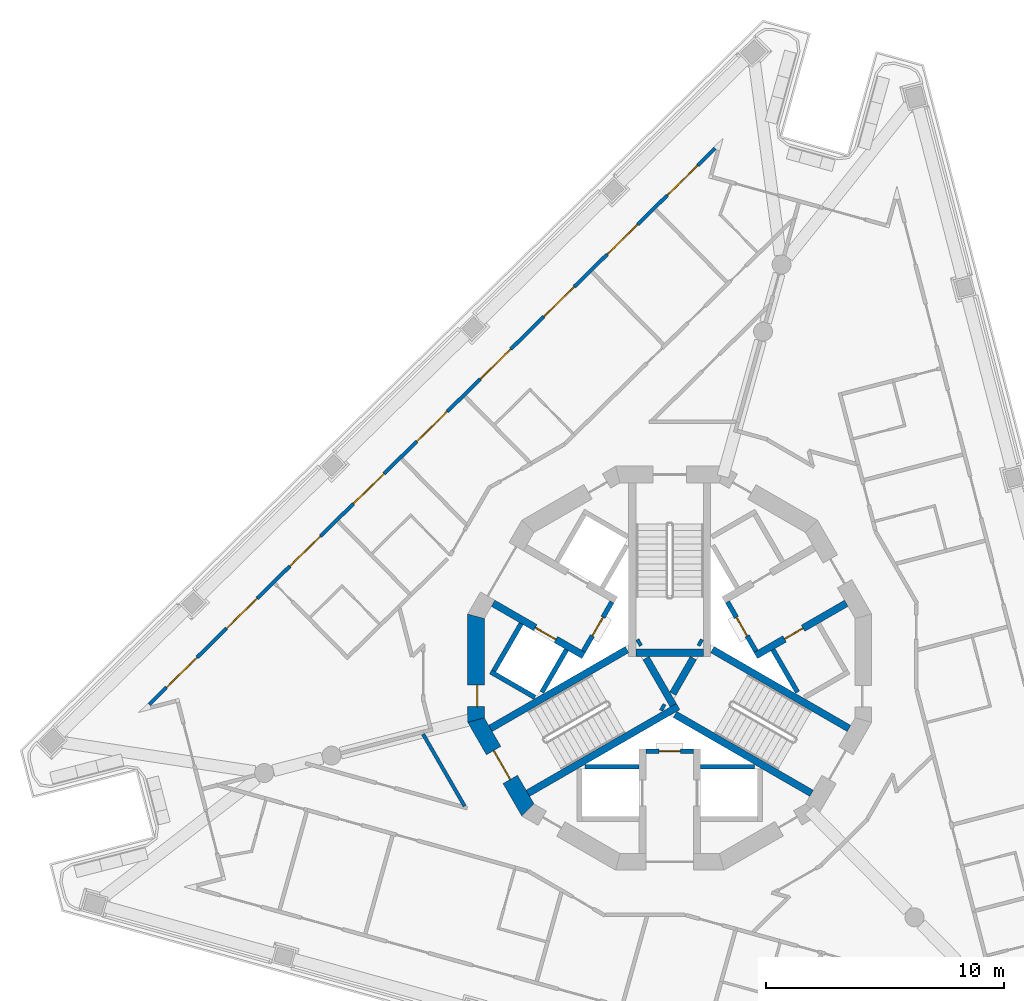
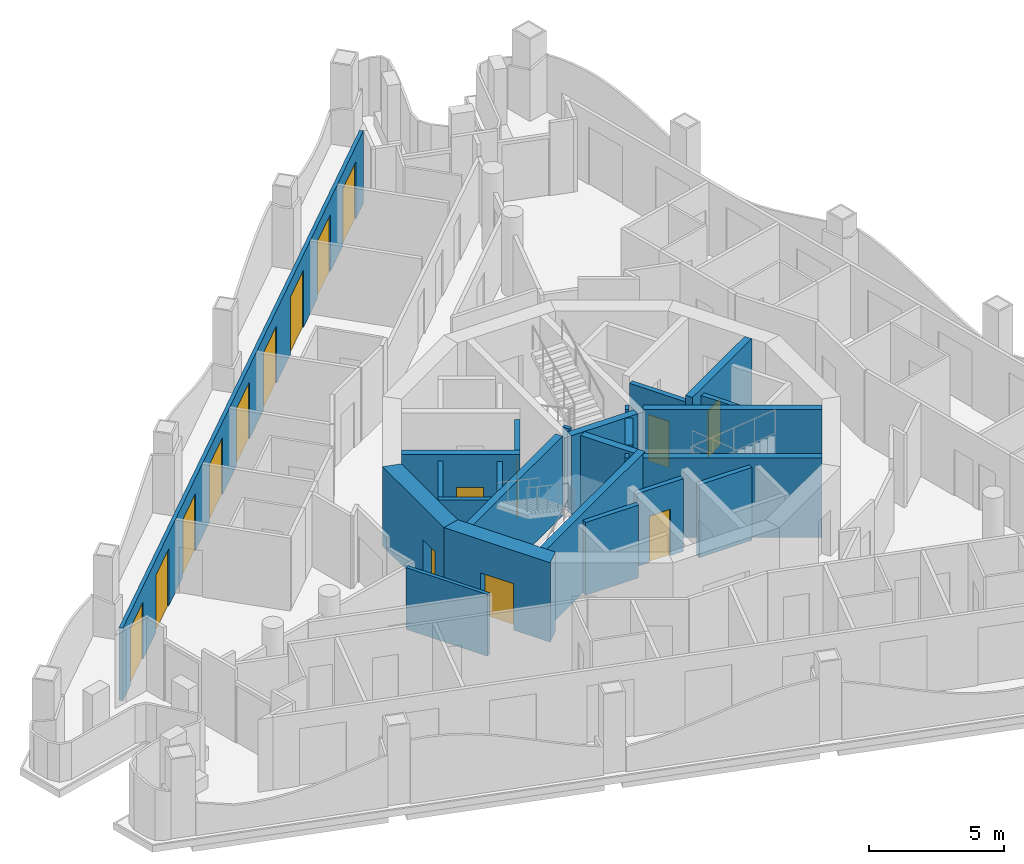
# One storey, part 4 of 14: 25 walls, 16 doors, 16 openings.
"""IFC4 building model written with IfcOpenShell, lengths in metres."""

import ifcopenshell
import ifcopenshell.guid

model = None  # the IFC model being written
_history = None  # IfcOwnerHistory: only IFC2X3 demands one
_inside = {}  # id of a spatial element -> (the spatial element, [elements in it])
_under = {}  # id of a project, library or spatial element -> (it, [spatial elements below it])
_declared = {}  # id of a project -> (the project, [libraries it declares])
_typed = {}  # id of a type object -> (the type object, [elements of that type])
_made_of = {}  # id of a material, layer set ... -> (it, [elements and type objects made of it])


def new_model(schema):
    """Start an empty IFC model of exactly this schema.

    Asked for "IFC4X3", IfcOpenShell would pick the latest addendum, in which some entities
    have other attributes; the version numbers below select the first issue.
    IFC2X3 requires an IfcOwnerHistory on every rooted entity: one is made here for all.
    """
    global model, _history
    if schema == "IFC4X3":
        model = ifcopenshell.file(schema_version=(4, 3, 0, 0))
    else:
        model = ifcopenshell.file(schema=schema)
    _inside.clear()
    _under.clear()
    _declared.clear()
    _typed.clear()
    _made_of.clear()
    _history = None
    if model.schema == "IFC2X3":
        org = make("IfcOrganization", Name="unknown")
        user = make(
            "IfcPersonAndOrganization",
            ThePerson=make("IfcPerson", FamilyName="unknown"),
            TheOrganization=org,
        )
        app = make(
            "IfcApplication",
            ApplicationDeveloper=org,
            Version="unknown",
            ApplicationFullName="unknown",
            ApplicationIdentifier="unknown",
        )
        _history = make(
            "IfcOwnerHistory",
            OwningUser=user,
            OwningApplication=app,
            ChangeAction="ADDED",
            CreationDate=0,
        )
    return model


def make(cls, **values):
    """One entity of the class cls with the attributes given. An attribute that is None is left unset."""
    return model.create_entity(
        cls, **{name: value for name, value in values.items() if value is not None}
    )


def rooted(cls, **values):
    """An entity with a GlobalId (a new one), such as an element, a storey or a relation."""
    return make(cls, GlobalId=ifcopenshell.guid.new(), OwnerHistory=_history, **values)


def si_unit(unit_type, name, prefix=None):
    """IfcSIUnit, for example si_unit("LENGTHUNIT", "METRE", prefix="MILLI")."""
    return make("IfcSIUnit", UnitType=unit_type, Prefix=prefix, Name=name)


def assignment(units):
    """IfcUnitAssignment: the units of a project."""
    return None if units is None else make("IfcUnitAssignment", Units=units)


def point(xyz):
    """IfcCartesianPoint."""
    return None if xyz is None else make("IfcCartesianPoint", Coordinates=xyz)


def direction(xyz):
    """IfcDirection."""
    return None if xyz is None else make("IfcDirection", DirectionRatios=xyz)


def frame(location, z_axis=None, x_axis=None):
    """IfcAxis2Placement3D, a coordinate frame: its origin and axes. An axis left out is left unset."""
    return make(
        "IfcAxis2Placement3D",
        Location=point(location),
        Axis=direction(z_axis),
        RefDirection=direction(x_axis),
    )


def frame_2d(location, x_axis=None):
    """IfcAxis2Placement2D, a coordinate frame in the plane: its origin and x axis."""
    return make(
        "IfcAxis2Placement2D", Location=point(location), RefDirection=direction(x_axis)
    )


def origin():
    """The frame at (0, 0, 0) with its axes left unset."""
    return frame((0.0, 0.0, 0.0))


def place(relative_to, where):
    """IfcLocalPlacement: puts the frame where relative to a parent placement (None: the world)."""
    return make(
        "IfcLocalPlacement", PlacementRelTo=relative_to, RelativePlacement=where
    )


def context(
    kind, dimensions, precision=None, world=None, true_north=None, identifier=None
):
    """IfcGeometricRepresentationContext, for example the 3D "Model" context."""
    return make(
        "IfcGeometricRepresentationContext",
        ContextIdentifier=identifier,
        ContextType=kind,
        CoordinateSpaceDimension=dimensions,
        Precision=precision,
        WorldCoordinateSystem=world,
        TrueNorth=true_north,
    )


def subcontext(parent, identifier, kind, view, scale=None):
    """IfcGeometricRepresentationSubContext, for example "Body" below "Model"."""
    return make(
        "IfcGeometricRepresentationSubContext",
        ContextIdentifier=identifier,
        ContextType=kind,
        ParentContext=parent,
        TargetScale=scale,
        TargetView=view,
    )


def project(units=None, contexts=None):
    """IfcProject with its units and contexts."""
    return rooted(
        "IfcProject",
        Name="project",
        RepresentationContexts=contexts,
        UnitsInContext=assignment(units),
    )


def spatial(cls, under=None, at=None, **own):
    """A site, building, storey or space (cls), placed at a placement, below another one or the project."""
    s = rooted(cls, ObjectPlacement=at, **own)
    if under is not None:
        _under.setdefault(under.id(), (under, []))[1].append(s)
    return s


def polyline(points):
    """IfcPolyline through the points."""
    return make("IfcPolyline", Points=[point(p) for p in points])


def profile(cls, at=None, kind="AREA", **sizes):
    """A parametric profile (cls). Its sizes go by their IFC names, for example OverallWidth=200.0."""
    return make(cls, ProfileType=kind, Position=at, **sizes)


def rectangle(**sizes):
    """IfcRectangleProfileDef."""
    return profile("IfcRectangleProfileDef", **sizes)


def outline(outer, holes=None, kind="AREA"):
    """IfcArbitraryClosedProfileDef: a profile drawn as a closed curve; with holes, ...WithVoids."""
    if holes is None:
        return make("IfcArbitraryClosedProfileDef", ProfileType=kind, OuterCurve=outer)
    return make(
        "IfcArbitraryProfileDefWithVoids",
        ProfileType=kind,
        OuterCurve=outer,
        InnerCurves=holes,
    )


def extrude(swept, where, along, depth):
    """IfcExtrudedAreaSolid: the profile swept, set in the frame where, extruded along a direction by depth."""
    return make(
        "IfcExtrudedAreaSolid",
        SweptArea=swept,
        Position=where,
        ExtrudedDirection=direction(along),
        Depth=depth,
    )


def shape(context_of_items, identifier, shape_type, items):
    """IfcShapeRepresentation: the items that make up one representation, for example the "Body"."""
    return make(
        "IfcShapeRepresentation",
        ContextOfItems=context_of_items,
        RepresentationIdentifier=identifier,
        RepresentationType=shape_type,
        Items=items,
    )


def material(Name=None, Category=None):
    """IfcMaterial."""
    return make("IfcMaterial", Name=Name, Category=Category)


def layer(
    of_material, thickness, ventilated=None, Name=None, Category=None, Priority=None
):
    """IfcMaterialLayer: one layer of a wall or slab, of a material (None: an air gap)."""
    return make(
        "IfcMaterialLayer",
        Material=of_material,
        LayerThickness=thickness,
        IsVentilated=ventilated,
        Name=Name,
        Category=Category,
        Priority=Priority,
    )


def layer_set(layers, Name=None):
    """IfcMaterialLayerSet."""
    return make("IfcMaterialLayerSet", MaterialLayers=layers, LayerSetName=Name)


def made_of(thing, what):
    """Note that an element or type object is made of a material, layer set ...; save() writes the relation."""
    if what is not None:
        _made_of.setdefault(what.id(), (what, []))[1].append(thing)
    return thing


def type_object(cls, material=None, **own):
    """A type object (cls), such as IfcWallType, which elements share."""
    return made_of(rooted(cls, **own), material)


def element(
    cls,
    number,
    at=None,
    inside=None,
    cuts=None,
    type_object=None,
    material=None,
    context=None,
    identifier="Body",
    shape_type=None,
    held_by="IfcProductDefinitionShape",
    body=None,
    shapes=None,
    **own,
):
    """One element of the class cls, such as IfcWall. Its Tag is "e" and its number.

    at: its placement. inside: the storey or other place that contains it. cuts: it is an
    opening in that element (IfcRelVoidsElement). A single representation is given by context,
    identifier, shape_type and body (its items); several are given by shapes. held_by: the class
    of the entity that holds the representations. save() writes the other relations.
    """
    e = rooted(cls, Tag="e%d" % number, ObjectPlacement=at, **own)
    if body is not None:
        shapes = [shape(context, identifier, shape_type, body)]
    if shapes is not None:
        e.Representation = make(held_by, Representations=shapes)
    if inside is not None:
        _inside.setdefault(inside.id(), (inside, []))[1].append(e)
    if cuts is not None:
        rooted(
            "IfcRelVoidsElement", RelatingBuildingElement=cuts, RelatedOpeningElement=e
        )
    if type_object is not None:
        _typed.setdefault(type_object.id(), (type_object, []))[1].append(e)
    return made_of(e, material)


def fill(opening, filler):
    """IfcRelFillsElement: the door or window that sits in an opening."""
    return rooted(
        "IfcRelFillsElement",
        RelatingOpeningElement=opening,
        RelatedBuildingElement=filler,
    )


def aggregate(whole, parts):
    """IfcRelAggregates: a whole, such as a stair, and the parts it consists of."""
    return rooted("IfcRelAggregates", RelatingObject=whole, RelatedObjects=parts)


def save(model, path):
    """Write the relations noted so far, then the file.

    IfcRelAggregates (storeys below a building ...), IfcRelContainedInSpatialStructure (elements
    in a storey), IfcRelDefinesByType, IfcRelAssociatesMaterial and IfcRelDeclares: one each for
    every whole, place, type object, material and project.
    """
    for whole, parts in _under.values():
        aggregate(whole, parts)
    for where, things in _inside.values():
        rooted(
            "IfcRelContainedInSpatialStructure",
            RelatedElements=things,
            RelatingStructure=where,
        )
    for kind, things in _typed.values():
        rooted("IfcRelDefinesByType", RelatedObjects=things, RelatingType=kind)
    for what, things in _made_of.values():
        rooted("IfcRelAssociatesMaterial", RelatedObjects=things, RelatingMaterial=what)
    for by, libraries in _declared.values():
        rooted("IfcRelDeclares", RelatingContext=by, RelatedDefinitions=libraries)
    model.write(path)


model = new_model("IFC4")

# Units and contexts
model_context = context("Model", 3, precision=1e-05, world=origin(), true_north=direction((0.0, 1.0)))
body_context = subcontext(model_context, "Body", "Model", "MODEL_VIEW")
ifc_project = project(units=[si_unit("LENGTHUNIT", "METRE"), si_unit("AREAUNIT", "SQUARE_METRE"), si_unit("VOLUMEUNIT", "CUBIC_METRE"), si_unit("PLANEANGLEUNIT", "RADIAN"), si_unit("MASSUNIT", "GRAM", prefix="KILO")], contexts=[model_context])

# Site, building, storey
site_placement = place(None, origin())
site = spatial("IfcSite", under=ifc_project, at=site_placement, CompositionType="ELEMENT")
building_placement = place(site_placement, origin())
building = spatial("IfcBuilding", under=site, at=building_placement, Name="Trine Commons Tower", CompositionType="ELEMENT")
storey_placement = place(building_placement, frame((0.0, 0.0, 245.699951171875)))
storey = spatial("IfcBuildingStorey", under=building, at=storey_placement, Name="L64", CompositionType="ELEMENT", Elevation=245.699951171875)

# Wall, openings, doors
ifc_material_1 = material(Name="Aluminium-framed insulated wall panel", Category="aluminium")
ifc_layer_1 = layer(ifc_material_1, 0.14990234375)
ifc_layer_set_1 = layer_set([ifc_layer_1], Name="Aluminium-framed insulated wall panel")
wall_type_1 = type_object("IfcWallType", Name="Glazed frame wall 150, EI 60", PredefinedType="SOLIDWALL", material=ifc_layer_set_1)
wall_1_placement = place(storey_placement, frame((57.98974609375, 60.867431640625, 0.0), z_axis=(0.0, 0.0, 1.0), x_axis=(0.713254682671, 0.700904956216, 0.0)))
wall_1 = element("IfcWall", 1, at=wall_1_placement, inside=storey, type_object=wall_type_1, Name="Glazed frame wall F1", PredefinedType="SOLIDWALL", context=body_context, shape_type="SweptSolid", body=[
    extrude(outline(polyline([(0.1494140625, 0.074951171875), (0.1494140625, -0.074951171875), (33.536865234375, -0.074951171875), (33.536865234375, 0.074951171875), (0.1494140625, 0.074951171875)])), origin(), (0.0, 0.0, 1.0), 3.300048828125),
])
opening_1_placement = place(wall_1_placement, frame((1.17138671875, 0.0, 0.0)))
opening_1 = element("IfcOpeningElement", 2, at=opening_1_placement, cuts=wall_1, Name="Opening BD-7F1-01", PredefinedType="OPENING", context=body_context, shape_type="SweptSolid", body=[
    extrude(rectangle(XDim=1.800048828125, YDim=2.60009765625, at=frame_2d((0.89990234375, 1.300048828125))), frame((0.0, 0.0849609375, 0.0), z_axis=(0.0, -1.0, 0.0), x_axis=(1.0, 0.0, 0.0)), (0.0, 0.0, 1.0), 0.169921875),
])
opening_2_placement = place(wall_1_placement, frame((4.71435546875, 0.0, 0.0)))
opening_2 = element("IfcOpeningElement", 3, at=opening_2_placement, cuts=wall_1, Name="Opening BD-7F1-02", PredefinedType="OPENING", context=body_context, shape_type="SweptSolid", body=[
    extrude(rectangle(XDim=1.800048828125, YDim=2.60009765625, at=frame_2d((0.89990234375, 1.300048828125))), frame((0.0, 0.0849609375, 0.0), z_axis=(0.0, -1.0, 0.0), x_axis=(1.0, 0.0, 0.0)), (0.0, 0.0, 1.0), 0.169921875),
])
opening_3_placement = place(wall_1_placement, frame((8.457275390625, 0.0, 0.0)))
opening_3 = element("IfcOpeningElement", 4, at=opening_3_placement, cuts=wall_1, Name="Opening BD-7F1-03", PredefinedType="OPENING", context=body_context, shape_type="SweptSolid", body=[
    extrude(rectangle(XDim=1.800048828125, YDim=2.60009765625, at=frame_2d((0.89990234375, 1.300048828125))), frame((0.0, 0.0849609375, 0.0), z_axis=(0.0, -1.0, 0.0), x_axis=(1.0, 0.0, 0.0)), (0.0, 0.0, 1.0), 0.169921875),
])
opening_4_placement = place(wall_1_placement, frame((12.2001953125, 0.0, 0.0)))
opening_4 = element("IfcOpeningElement", 5, at=opening_4_placement, cuts=wall_1, Name="Opening BD-7F1-04", PredefinedType="OPENING", context=body_context, shape_type="SweptSolid", body=[
    extrude(rectangle(XDim=1.800048828125, YDim=2.60009765625, at=frame_2d((0.89990234375, 1.300048828125))), frame((0.0, 0.0849609375, 0.0), z_axis=(0.0, -1.0, 0.0), x_axis=(1.0, 0.0, 0.0)), (0.0, 0.0, 1.0), 0.169921875),
])
opening_5_placement = place(wall_1_placement, frame((15.943115234375, 0.0, 0.0)))
opening_5 = element("IfcOpeningElement", 6, at=opening_5_placement, cuts=wall_1, Name="Opening BD-7F1-05", PredefinedType="OPENING", context=body_context, shape_type="SweptSolid", body=[
    extrude(rectangle(XDim=1.800048828125, YDim=2.60009765625, at=frame_2d((0.89990234375, 1.300048828125))), frame((0.0, 0.0849609375, 0.0), z_axis=(0.0, -1.0, 0.0), x_axis=(1.0, 0.0, 0.0)), (0.0, 0.0, 1.0), 0.169921875),
])
opening_6_placement = place(wall_1_placement, frame((19.68603515625, 0.0, 0.0)))
opening_6 = element("IfcOpeningElement", 7, at=opening_6_placement, cuts=wall_1, Name="Opening BD-7F1-06", PredefinedType="OPENING", context=body_context, shape_type="SweptSolid", body=[
    extrude(rectangle(XDim=1.800048828125, YDim=2.60009765625, at=frame_2d((0.89990234375, 1.300048828125))), frame((0.0, 0.0849609375, 0.0), z_axis=(0.0, -1.0, 0.0), x_axis=(1.0, 0.0, 0.0)), (0.0, 0.0, 1.0), 0.169921875),
])
opening_7_placement = place(wall_1_placement, frame((23.428955078125, 0.0, 0.0)))
opening_7 = element("IfcOpeningElement", 8, at=opening_7_placement, cuts=wall_1, Name="Opening BD-7F1-07", PredefinedType="OPENING", context=body_context, shape_type="SweptSolid", body=[
    extrude(rectangle(XDim=1.800048828125, YDim=2.60009765625, at=frame_2d((0.89990234375, 1.300048828125))), frame((0.0, 0.0849609375, 0.0), z_axis=(0.0, -1.0, 0.0), x_axis=(1.0, 0.0, 0.0)), (0.0, 0.0, 1.0), 0.169921875),
])
opening_8_placement = place(wall_1_placement, frame((27.171875, 0.0, 0.0)))
opening_8 = element("IfcOpeningElement", 9, at=opening_8_placement, cuts=wall_1, Name="Opening BD-7F1-08", PredefinedType="OPENING", context=body_context, shape_type="SweptSolid", body=[
    extrude(rectangle(XDim=1.800048828125, YDim=2.60009765625, at=frame_2d((0.89990234375, 1.300048828125))), frame((0.0, 0.0849609375, 0.0), z_axis=(0.0, -1.0, 0.0), x_axis=(1.0, 0.0, 0.0)), (0.0, 0.0, 1.0), 0.169921875),
])
opening_9_placement = place(wall_1_placement, frame((30.714599609375, 0.0, 0.0)))
opening_9 = element("IfcOpeningElement", 10, at=opening_9_placement, cuts=wall_1, Name="Opening BD-7F1-09", PredefinedType="OPENING", context=body_context, shape_type="SweptSolid", body=[
    extrude(rectangle(XDim=1.800048828125, YDim=2.60009765625, at=frame_2d((0.89990234375, 1.300048828125))), frame((0.0, 0.0849609375, 0.0), z_axis=(0.0, -1.0, 0.0), x_axis=(1.0, 0.0, 0.0)), (0.0, 0.0, 1.0), 0.169921875),
])
ifc_material_2 = material(Name="Anodised aluminium frame with double glazing", Category="aluminium")
door_type_1 = type_object("IfcDoorType", Name="Sliding loggia door 1800x2600", OperationType="SLIDING_TO_LEFT", PredefinedType="DOOR", material=ifc_material_2)
door_1_placement = place(opening_1_placement, origin())
door_1 = element("IfcDoor", 11, at=door_1_placement, inside=storey, type_object=door_type_1, Name="Loggia door F1 1", OperationType="SLIDING_TO_LEFT", OverallHeight=2.60009765625, OverallWidth=1.800048828125, PredefinedType="DOOR", context=body_context, shape_type="SweptSolid", body=[
    extrude(rectangle(XDim=1.800048828125, YDim=2.60009765625, at=frame_2d((0.89990234375, 1.300048828125))), frame((0.0, 0.02490234375, 0.0), z_axis=(0.0, -1.0, 0.0), x_axis=(1.0, 0.0, 0.0)), (0.0, 0.0, 1.0), 0.050048828125),
])
fill(opening_1, door_1)
door_2_placement = place(opening_2_placement, origin())
door_2 = element("IfcDoor", 12, at=door_2_placement, inside=storey, type_object=door_type_1, Name="Loggia door F1 2", OperationType="SLIDING_TO_LEFT", OverallHeight=2.60009765625, OverallWidth=1.800048828125, PredefinedType="DOOR", context=body_context, shape_type="SweptSolid", body=[
    extrude(rectangle(XDim=1.800048828125, YDim=2.60009765625, at=frame_2d((0.89990234375, 1.300048828125))), frame((0.0, 0.02490234375, 0.0), z_axis=(0.0, -1.0, 0.0), x_axis=(1.0, 0.0, 0.0)), (0.0, 0.0, 1.0), 0.050048828125),
])
fill(opening_2, door_2)
door_3_placement = place(opening_3_placement, origin())
door_3 = element("IfcDoor", 13, at=door_3_placement, inside=storey, type_object=door_type_1, Name="Loggia door F1 3", OperationType="SLIDING_TO_LEFT", OverallHeight=2.60009765625, OverallWidth=1.800048828125, PredefinedType="DOOR", context=body_context, shape_type="SweptSolid", body=[
    extrude(rectangle(XDim=1.800048828125, YDim=2.60009765625, at=frame_2d((0.89990234375, 1.300048828125))), frame((0.0, 0.02490234375, 0.0), z_axis=(0.0, -1.0, 0.0), x_axis=(1.0, 0.0, 0.0)), (0.0, 0.0, 1.0), 0.050048828125),
])
fill(opening_3, door_3)
door_4_placement = place(opening_4_placement, origin())
door_4 = element("IfcDoor", 14, at=door_4_placement, inside=storey, type_object=door_type_1, Name="Loggia door F1 4", OperationType="SLIDING_TO_LEFT", OverallHeight=2.60009765625, OverallWidth=1.800048828125, PredefinedType="DOOR", context=body_context, shape_type="SweptSolid", body=[
    extrude(rectangle(XDim=1.800048828125, YDim=2.60009765625, at=frame_2d((0.89990234375, 1.300048828125))), frame((0.0, 0.02490234375, 0.0), z_axis=(0.0, -1.0, 0.0), x_axis=(1.0, 0.0, 0.0)), (0.0, 0.0, 1.0), 0.050048828125),
])
fill(opening_4, door_4)
door_5_placement = place(opening_5_placement, origin())
door_5 = element("IfcDoor", 15, at=door_5_placement, inside=storey, type_object=door_type_1, Name="Loggia door F1 5", OperationType="SLIDING_TO_LEFT", OverallHeight=2.60009765625, OverallWidth=1.800048828125, PredefinedType="DOOR", context=body_context, shape_type="SweptSolid", body=[
    extrude(rectangle(XDim=1.800048828125, YDim=2.60009765625, at=frame_2d((0.89990234375, 1.300048828125))), frame((0.0, 0.02490234375, 0.0), z_axis=(0.0, -1.0, 0.0), x_axis=(1.0, 0.0, 0.0)), (0.0, 0.0, 1.0), 0.050048828125),
])
fill(opening_5, door_5)
door_6_placement = place(opening_6_placement, origin())
door_6 = element("IfcDoor", 16, at=door_6_placement, inside=storey, type_object=door_type_1, Name="Loggia door F1 6", OperationType="SLIDING_TO_LEFT", OverallHeight=2.60009765625, OverallWidth=1.800048828125, PredefinedType="DOOR", context=body_context, shape_type="SweptSolid", body=[
    extrude(rectangle(XDim=1.800048828125, YDim=2.60009765625, at=frame_2d((0.89990234375, 1.300048828125))), frame((0.0, 0.02490234375, 0.0), z_axis=(0.0, -1.0, 0.0), x_axis=(1.0, 0.0, 0.0)), (0.0, 0.0, 1.0), 0.050048828125),
])
fill(opening_6, door_6)
door_7_placement = place(opening_7_placement, origin())
door_7 = element("IfcDoor", 17, at=door_7_placement, inside=storey, type_object=door_type_1, Name="Loggia door F1 7", OperationType="SLIDING_TO_LEFT", OverallHeight=2.60009765625, OverallWidth=1.800048828125, PredefinedType="DOOR", context=body_context, shape_type="SweptSolid", body=[
    extrude(rectangle(XDim=1.800048828125, YDim=2.60009765625, at=frame_2d((0.89990234375, 1.300048828125))), frame((0.0, 0.02490234375, 0.0), z_axis=(0.0, -1.0, 0.0), x_axis=(1.0, 0.0, 0.0)), (0.0, 0.0, 1.0), 0.050048828125),
])
fill(opening_7, door_7)
door_8_placement = place(opening_8_placement, origin())
door_8 = element("IfcDoor", 18, at=door_8_placement, inside=storey, type_object=door_type_1, Name="Loggia door F1 8", OperationType="SLIDING_TO_LEFT", OverallHeight=2.60009765625, OverallWidth=1.800048828125, PredefinedType="DOOR", context=body_context, shape_type="SweptSolid", body=[
    extrude(rectangle(XDim=1.800048828125, YDim=2.60009765625, at=frame_2d((0.89990234375, 1.300048828125))), frame((0.0, 0.02490234375, 0.0), z_axis=(0.0, -1.0, 0.0), x_axis=(1.0, 0.0, 0.0)), (0.0, 0.0, 1.0), 0.050048828125),
])
fill(opening_8, door_8)
door_9_placement = place(opening_9_placement, origin())
door_9 = element("IfcDoor", 19, at=door_9_placement, inside=storey, type_object=door_type_1, Name="Loggia door F1 9", OperationType="SLIDING_TO_LEFT", OverallHeight=2.60009765625, OverallWidth=1.800048828125, PredefinedType="DOOR", context=body_context, shape_type="SweptSolid", body=[
    extrude(rectangle(XDim=1.800048828125, YDim=2.60009765625, at=frame_2d((0.89990234375, 1.300048828125))), frame((0.0, 0.02490234375, 0.0), z_axis=(0.0, -1.0, 0.0), x_axis=(1.0, 0.0, 0.0)), (0.0, 0.0, 1.0), 0.050048828125),
])
fill(opening_9, door_9)

# Wall, opening, door
ifc_material_3 = material(Name="Fire-rated gypsum shaft wall system")
ifc_layer_2 = layer(ifc_material_3, 0.199951171875)
ifc_layer_set_2 = layer_set([ifc_layer_2], Name="Fire-rated gypsum shaft wall system")
wall_type_2 = type_object("IfcWallType", Name="Lobby end wall 200 mm, EI 120", PredefinedType="PARTITIONING", material=ifc_layer_set_2)
wall_2_placement = place(storey_placement, frame((77.569091796875, 65.2890625, 0.0), z_axis=(0.0, 0.0, 1.0), x_axis=(-0.50012165622, -0.865955154139, 0.0)))
wall_2 = element("IfcWall", 20, at=wall_2_placement, inside=storey, type_object=wall_type_2, Name="Lobby end wall L64", PredefinedType="PARTITIONING", context=body_context, shape_type="SweptSolid", body=[
    extrude(rectangle(XDim=2.39990234375, YDim=0.199951171875, at=frame_2d((1.199951171875, 0.0))), origin(), (0.0, 0.0, 1.0), 3.300048828125),
])
opening_10_placement = place(wall_2_placement, frame((0.749755859375, 0.0, 0.0)))
opening_10 = element("IfcOpeningElement", 21, at=opening_10_placement, cuts=wall_2, Name="Opening K16.07", PredefinedType="OPENING", context=body_context, shape_type="SweptSolid", body=[
    extrude(rectangle(XDim=0.89990234375, YDim=2.10009765625, at=frame_2d((0.449951171875, 1.050048828125))), frame((0.0, 0.10986328125, 0.0), z_axis=(0.0, -1.0, 0.0), x_axis=(1.0, 0.0, 0.0)), (0.0, 0.0, 1.0), 0.219970703125),
])
ifc_material_4 = material(Name="Steel door leaf, fire-rated", Category="steel")
door_type_2 = type_object("IfcDoorType", Name="Riser access door, single leaf 900 x 2100, FD60", OperationType="SINGLE_SWING_LEFT", PredefinedType="DOOR", material=ifc_material_4)
door_10_placement = place(opening_10_placement, frame((0.89990234375, 0.0, 0.0), z_axis=(0.0, 0.0, 1.0), x_axis=(-1.0, 0.0, 0.0)))
door_10 = element("IfcDoor", 22, at=door_10_placement, inside=storey, type_object=door_type_2, Name="Riser door, Mechanical riser L64", OperationType="SINGLE_SWING_RIGHT", OverallHeight=2.10009765625, OverallWidth=0.89990234375, PredefinedType="DOOR", context=body_context, shape_type="SweptSolid", body=[
    extrude(rectangle(XDim=0.89990234375, YDim=2.10009765625, at=frame_2d((0.449951171875, 1.050048828125))), frame((0.0, 0.02490234375, 0.0), z_axis=(0.0, -1.0, 0.0), x_axis=(1.0, 0.0, 0.0)), (0.0, 0.0, 1.0), 0.050048828125),
])
fill(opening_10, door_10)

wall_3_placement = place(storey_placement, frame((79.0, 59.0, 0.0), z_axis=(0.0, 0.0, 1.0), x_axis=(1.0, 0.0, 0.0)))
wall_3 = element("IfcWall", 23, at=wall_3_placement, inside=storey, type_object=wall_type_2, Name="Lobby end wall L64", PredefinedType="PARTITIONING", context=body_context, shape_type="SweptSolid", body=[
    extrude(rectangle(XDim=2.0, YDim=0.199951171875, at=frame_2d((1.0, 0.0))), origin(), (0.0, 0.0, 1.0), 3.300048828125),
])
opening_11_placement = place(wall_3_placement, frame((0.550048828125, 0.0, 0.0)))
opening_11 = element("IfcOpeningElement", 24, at=opening_11_placement, cuts=wall_3, Name="Opening K16.09", PredefinedType="OPENING", context=body_context, shape_type="SweptSolid", body=[
    extrude(rectangle(XDim=0.89990234375, YDim=2.10009765625, at=frame_2d((0.449951171875, 1.050048828125))), frame((0.0, 0.10986328125, 0.0), z_axis=(0.0, -1.0, 0.0), x_axis=(1.0, 0.0, 0.0)), (0.0, 0.0, 1.0), 0.219970703125),
])
door_11_placement = place(opening_11_placement, frame((0.89990234375, 0.0, 0.0), z_axis=(0.0, 0.0, 1.0), x_axis=(-1.0, 0.0, 0.0)))
door_11 = element("IfcDoor", 25, at=door_11_placement, inside=storey, type_object=door_type_2, Name="Riser door, Communications riser L64", OperationType="SINGLE_SWING_RIGHT", OverallHeight=2.10009765625, OverallWidth=0.89990234375, PredefinedType="DOOR", context=body_context, shape_type="SweptSolid", body=[
    extrude(rectangle(XDim=0.89990234375, YDim=2.10009765625, at=frame_2d((0.449951171875, 1.050048828125))), frame((0.0, 0.02490234375, 0.0), z_axis=(0.0, -1.0, 0.0), x_axis=(1.0, 0.0, 0.0)), (0.0, 0.0, 1.0), 0.050048828125),
])
fill(opening_11, door_11)

wall_4_placement = place(storey_placement, frame((83.631103515625, 63.2109375, 0.0), z_axis=(0.0, 0.0, 1.0), x_axis=(-0.50012165622, 0.865955154139, 0.0)))
wall_4 = element("IfcWall", 26, at=wall_4_placement, inside=storey, type_object=wall_type_2, Name="Lobby end wall L64", PredefinedType="PARTITIONING", context=body_context, shape_type="SweptSolid", body=[
    extrude(rectangle(XDim=2.39990234375, YDim=0.199951171875, at=frame_2d((1.199951171875, 0.0))), origin(), (0.0, 0.0, 1.0), 3.300048828125),
])
opening_12_placement = place(wall_4_placement, frame((0.749755859375, 0.0, 0.0)))
opening_12 = element("IfcOpeningElement", 27, at=opening_12_placement, cuts=wall_4, Name="Opening K16.05", PredefinedType="OPENING", context=body_context, shape_type="SweptSolid", body=[
    extrude(rectangle(XDim=0.89990234375, YDim=2.10009765625, at=frame_2d((0.449951171875, 1.050048828125))), frame((0.0, 0.10986328125, 0.0), z_axis=(0.0, -1.0, 0.0), x_axis=(1.0, 0.0, 0.0)), (0.0, 0.0, 1.0), 0.219970703125),
])
door_12_placement = place(opening_12_placement, frame((0.89990234375, 0.0, 0.0), z_axis=(0.0, 0.0, 1.0), x_axis=(-1.0, 0.0, 0.0)))
door_12 = element("IfcDoor", 28, at=door_12_placement, inside=storey, type_object=door_type_2, Name="Riser door, Electrical riser L64", OperationType="SINGLE_SWING_LEFT", OverallHeight=2.10009765625, OverallWidth=0.89990234375, PredefinedType="DOOR", context=body_context, shape_type="SweptSolid", body=[
    extrude(rectangle(XDim=0.89990234375, YDim=2.10009765625, at=frame_2d((0.449951171875, 1.050048828125))), frame((0.0, 0.02490234375, 0.0), z_axis=(0.0, -1.0, 0.0), x_axis=(1.0, 0.0, 0.0)), (0.0, 0.0, 1.0), 0.050048828125),
])
fill(opening_12, door_12)

ifc_material_5 = material(Name="Concrete C50/60", Category="concrete")
ifc_layer_3 = layer(ifc_material_5, 0.300048828125)
ifc_layer_set_3 = layer_set([ifc_layer_3], Name="Concrete C50/60")
wall_type_3 = type_object("IfcWallType", Name="RC shear wall 300 mm, C50/60", PredefinedType="SHEAR", material=ifc_layer_set_3)
wall_5_placement = place(storey_placement, frame((76.381103515625, 63.031005859375, 0.0), z_axis=(0.0, 0.0, 1.0), x_axis=(-0.866059941101, 0.499940174841, 0.0)))
wall_5 = element("IfcWall", 29, at=wall_5_placement, inside=storey, type_object=wall_type_3, Name="Core cross wall SWC-01 L64", PredefinedType="SHEAR", context=body_context, shape_type="SweptSolid", body=[
    extrude(rectangle(XDim=4.400390625, YDim=0.300048828125, at=frame_2d((2.2001953125, 0.0))), origin(), (0.0, 0.0, 1.0), 3.60009765625),
])
opening_13_placement = place(wall_5_placement, frame((1.350341796875, 0.0, 0.0)))
opening_13 = element("IfcOpeningElement", 30, at=opening_13_placement, cuts=wall_5, Name="Opening LD7", PredefinedType="OPENING", context=body_context, shape_type="SweptSolid", body=[
    extrude(rectangle(XDim=1.0, YDim=2.10009765625, at=frame_2d((0.5, 1.050048828125))), frame((0.0, 0.159912109375, 0.0), z_axis=(0.0, -1.0, 0.0), x_axis=(1.0, 0.0, 0.0)), (0.0, 0.0, 1.0), 0.320068359375),
])
ifc_material_6 = material(Name="Stainless steel sliding door leaves", Category="steel")
door_type_3 = type_object("IfcDoorType", Name="Lift landing door, centre-opening sliding 1000 x 2100, FD90", OperationType="DOUBLE_DOOR_SLIDING", PredefinedType="DOOR", material=ifc_material_6)
door_13_placement = place(opening_13_placement, origin())
door_13 = element("IfcDoor", 31, at=door_13_placement, inside=storey, type_object=door_type_3, Name="Lift landing door HR3 L64", OperationType="DOUBLE_DOOR_SLIDING", OverallHeight=2.10009765625, OverallWidth=1.0, PredefinedType="DOOR", context=body_context, shape_type="SweptSolid", body=[
    extrude(rectangle(XDim=1.0, YDim=2.10009765625, at=frame_2d((0.5, 1.050048828125))), frame((0.0, 0.02490234375, 0.0), z_axis=(0.0, -1.0, 0.0), x_axis=(1.0, 0.0, 0.0)), (0.0, 0.0, 1.0), 0.050048828125),
])
fill(opening_13, door_13)

wall_6_placement = place(storey_placement, frame((83.618896484375, 63.031005859375, 0.0), z_axis=(0.0, 0.0, 1.0), x_axis=(0.866059941101, 0.499940174841, 0.0)))
wall_6 = element("IfcWall", 32, at=wall_6_placement, inside=storey, type_object=wall_type_3, Name="Core cross wall SWC-06 L64", PredefinedType="SHEAR", context=body_context, shape_type="SweptSolid", body=[
    extrude(rectangle(XDim=4.400390625, YDim=0.300048828125, at=frame_2d((2.2001953125, 0.0))), origin(), (0.0, 0.0, 1.0), 3.60009765625),
])
opening_14_placement = place(wall_6_placement, frame((1.400390625, 0.0, 0.0)))
opening_14 = element("IfcOpeningElement", 33, at=opening_14_placement, cuts=wall_6, Name="Opening K16.11", PredefinedType="OPENING", context=body_context, shape_type="SweptSolid", body=[
    extrude(rectangle(XDim=0.89990234375, YDim=2.10009765625, at=frame_2d((0.449951171875, 1.050048828125))), frame((0.0, 0.159912109375, 0.0), z_axis=(0.0, -1.0, 0.0), x_axis=(1.0, 0.0, 0.0)), (0.0, 0.0, 1.0), 0.320068359375),
])
door_type_4 = type_object("IfcDoorType", Name="Core room door, single leaf 900 x 2100, FD30S", OperationType="SINGLE_SWING_LEFT", PredefinedType="DOOR", material=ifc_material_4)
door_14_placement = place(opening_14_placement, frame((0.89990234375, 0.0, 0.0), z_axis=(0.0, 0.0, 1.0), x_axis=(-1.0, 0.0, 0.0)))
door_14 = element("IfcDoor", 34, at=door_14_placement, inside=storey, type_object=door_type_4, Name="Door to Comms room L64", OperationType="SINGLE_SWING_LEFT", OverallHeight=2.10009765625, OverallWidth=0.89990234375, PredefinedType="DOOR", context=body_context, shape_type="SweptSolid", body=[
    extrude(rectangle(XDim=0.89990234375, YDim=2.10009765625, at=frame_2d((0.449951171875, 1.050048828125))), frame((0.0, 0.02490234375, 0.0), z_axis=(0.0, -1.0, 0.0), x_axis=(1.0, 0.0, 0.0)), (0.0, 0.0, 1.0), 0.050048828125),
])
fill(opening_14, door_14)

# Walls
wall_7_placement = place(storey_placement, frame((78.199951171875, 63.280029296875, 0.0), z_axis=(0.0, 0.0, 1.0), x_axis=(-0.866009627307, -0.500027324665, 0.0)))
element("IfcWall", 35, at=wall_7_placement, inside=storey, type_object=wall_type_3, Name="Core cross wall SWC-07 L64", PredefinedType="SHEAR", context=body_context, shape_type="SweptSolid", body=[
    extrude(rectangle(XDim=6.631591796875, YDim=0.300048828125, at=frame_2d((3.31591796875, 0.0))), origin(), (0.0, 0.0, 1.0), 3.60009765625),
])
wall_8_placement = place(storey_placement, frame((78.779052734375, 63.614013671875, 0.0), z_axis=(0.0, 0.0, 1.0), x_axis=(-0.867737973955, -0.497021939713, 0.0)))
element("IfcWall", 36, at=wall_8_placement, inside=storey, type_object=wall_type_3, Name="Core cross wall SWC-09 L64", PredefinedType="SHEAR", context=body_context, shape_type="SweptSolid", body=[
    extrude(rectangle(XDim=0.14892578125, YDim=0.300048828125, at=frame_2d((0.074462890625, 0.0))), origin(), (0.0, 0.0, 1.0), 3.60009765625),
])
wall_9_placement = place(storey_placement, frame((79.0029296875, 62.926025390625, 0.0), z_axis=(0.0, 0.0, 1.0), x_axis=(0.499965247104, -0.866045467449, 0.0)))
element("IfcWall", 37, at=wall_9_placement, inside=storey, type_object=wall_type_3, Name="Core cross wall SWC-10 L64", PredefinedType="SHEAR", context=body_context, shape_type="SweptSolid", body=[
    extrude(rectangle(XDim=2.292236328125, YDim=0.300048828125, at=frame_2d((1.14599609375, 0.0))), origin(), (0.0, 0.0, 1.0), 3.60009765625),
])
wall_10_placement = place(storey_placement, frame((79.64599609375, 60.885986328125, 0.0), z_axis=(0.0, 0.0, 1.0), x_axis=(0.867331893649, -0.497730234424, 0.0)))
element("IfcWall", 38, at=wall_10_placement, inside=storey, type_object=wall_type_3, Name="Core cross wall SWC-11 L64", PredefinedType="SHEAR", context=body_context, shape_type="SweptSolid", body=[
    extrude(rectangle(XDim=0.148681640625, YDim=0.300048828125, at=frame_2d((0.07421875, 0.0))), origin(), (0.0, 0.0, 1.0), 3.60009765625),
])
wall_11_placement = place(storey_placement, frame((80.1298828125, 61.424072265625, 0.0), z_axis=(0.0, 0.0, 1.0), x_axis=(0.500014901547, 0.866016800201, 0.0)))
element("IfcWall", 39, at=wall_11_placement, inside=storey, type_object=wall_type_3, Name="Core cross wall SWC-12 L64", PredefinedType="SHEAR", context=body_context, shape_type="SweptSolid", body=[
    extrude(rectangle(XDim=1.734375, YDim=0.300048828125, at=frame_2d((0.8671875, 0.0))), origin(), (0.0, 0.0, 1.0), 3.60009765625),
])
wall_12_placement = place(storey_placement, frame((80.22509765625, 60.552001953125, 0.0), z_axis=(0.0, 0.0, 1.0), x_axis=(0.866009627307, -0.500027324665, 0.0)))
element("IfcWall", 40, at=wall_12_placement, inside=storey, type_object=wall_type_3, Name="Core cross wall SWC-13 L64", PredefinedType="SHEAR", context=body_context, shape_type="SweptSolid", body=[
    extrude(rectangle(XDim=6.631591796875, YDim=0.300048828125, at=frame_2d((3.31591796875, 0.0))), origin(), (0.0, 0.0, 1.0), 3.60009765625),
])
wall_13_placement = place(storey_placement, frame((80.35400390625, 60.885986328125, 0.0), z_axis=(0.0, 0.0, 1.0), x_axis=(-0.866032430508, -0.49998782916, 0.0)))
element("IfcWall", 41, at=wall_13_placement, inside=storey, type_object=wall_type_3, Name="Core cross wall SWC-14 L64", PredefinedType="SHEAR", context=body_context, shape_type="SweptSolid", body=[
    extrude(rectangle(XDim=7.300048828125, YDim=0.300048828125, at=frame_2d((3.64990234375, 0.0))), origin(), (0.0, 0.0, 1.0), 3.60009765625),
])
wall_14_placement = place(storey_placement, frame((81.220947265625, 63.614013671875, 0.0), z_axis=(0.0, 0.0, 1.0), x_axis=(0.867737973955, -0.497021939713, 0.0)))
element("IfcWall", 42, at=wall_14_placement, inside=storey, type_object=wall_type_3, Name="Core cross wall SWC-15 L64", PredefinedType="SHEAR", context=body_context, shape_type="SweptSolid", body=[
    extrude(rectangle(XDim=0.14892578125, YDim=0.300048828125, at=frame_2d((0.074462890625, 0.0))), origin(), (0.0, 0.0, 1.0), 3.60009765625),
])
wall_15_placement = place(storey_placement, frame((81.425048828125, 63.15087890625, 0.0), z_axis=(0.0, 0.0, 1.0), x_axis=(-1.0, 0.0, 0.0)))
element("IfcWall", 43, at=wall_15_placement, inside=storey, type_object=wall_type_3, Name="Core cross wall SWC-16 L64", PredefinedType="SHEAR", context=body_context, shape_type="SweptSolid", body=[
    extrude(rectangle(XDim=2.85009765625, YDim=0.300048828125, at=frame_2d((1.425048828125, 0.0))), origin(), (0.0, 0.0, 1.0), 3.60009765625),
])
wall_16_placement = place(storey_placement, frame((81.800048828125, 63.280029296875, 0.0), z_axis=(0.0, 0.0, 1.0), x_axis=(0.866009627307, -0.500027324665, 0.0)))
element("IfcWall", 44, at=wall_16_placement, inside=storey, type_object=wall_type_3, Name="Core cross wall SWC-18 L64", PredefinedType="SHEAR", context=body_context, shape_type="SweptSolid", body=[
    extrude(rectangle(XDim=6.631591796875, YDim=0.300048828125, at=frame_2d((3.31591796875, 0.0))), origin(), (0.0, 0.0, 1.0), 3.60009765625),
])

# Wall, opening, door
ifc_layer_4 = layer(ifc_material_5, 0.699951171875)
ifc_layer_set_4 = layer_set([ifc_layer_4], Name="Concrete C50/60")
wall_type_4 = type_object("IfcWallType", Name="RC shear wall 700 mm, C50/60", PredefinedType="SHEAR", material=ifc_layer_set_4)
wall_17_placement = place(storey_placement, frame((71.849853515625, 64.777587890625, 0.0), z_axis=(0.0, 0.0, 1.0), x_axis=(0.0, -1.0, 0.0)))
wall_17 = element("IfcWall", 45, at=wall_17_placement, inside=storey, type_object=wall_type_4, Name="Core wall CWG-07 L64", PredefinedType="SHEAR", context=body_context, shape_type="SweptSolid", body=[
    extrude(outline(polyline([(0.0, -0.35009765625), (4.55517578125, -0.35009765625), (4.36767578125, 0.35009765625), (0.1875, 0.35009765625), (0.0, -0.35009765625)])), origin(), (0.0, 0.0, 1.0), 3.60009765625),
])
opening_15_placement = place(wall_17_placement, frame((2.99169921875, 0.0, 0.0)))
opening_15 = element("IfcOpeningElement", 46, at=opening_15_placement, cuts=wall_17, Name="Opening K16.14", PredefinedType="OPENING", context=body_context, shape_type="SweptSolid", body=[
    extrude(rectangle(XDim=0.89990234375, YDim=2.10009765625, at=frame_2d((0.449951171875, 1.050048828125))), frame((0.0, 0.35986328125, 0.0), z_axis=(0.0, -1.0, 0.0), x_axis=(1.0, 0.0, 0.0)), (0.0, 0.0, 1.0), 0.719970703125),
])
door_15_placement = place(opening_15_placement, origin())
door_15 = element("IfcDoor", 47, at=door_15_placement, inside=storey, type_object=door_type_4, Name="Door to Pantry L64", OperationType="SINGLE_SWING_RIGHT", OverallHeight=2.10009765625, OverallWidth=0.89990234375, PredefinedType="DOOR", context=body_context, shape_type="SweptSolid", body=[
    extrude(rectangle(XDim=0.89990234375, YDim=2.10009765625, at=frame_2d((0.449951171875, 1.050048828125))), frame((0.0, 0.0751953125, 0.0), z_axis=(0.0, -1.0, 0.0), x_axis=(1.0, 0.0, 0.0)), (0.0, 0.0, 1.0), 0.050048828125),
])
fill(opening_15, door_15)

wall_18_placement = place(storey_placement, frame((71.802978515625, 60.3974609375, 0.0), z_axis=(0.0, 0.0, 1.0), x_axis=(0.499983800959, -0.866034756103, 0.0)))
wall_18 = element("IfcWall", 48, at=wall_18_placement, inside=storey, type_object=wall_type_4, Name="Core wall CWG-08 L64", PredefinedType="SHEAR", context=body_context, shape_type="SweptSolid", body=[
    extrude(outline(polyline([(0.0, -0.35009765625), (4.55517578125, -0.35009765625), (4.36767578125, 0.35009765625), (0.1875, 0.35009765625), (0.0, -0.35009765625)])), origin(), (0.0, 0.0, 1.0), 3.60009765625),
])
opening_16_placement = place(wall_18_placement, frame((1.577392578125, 0.0, 0.0)))
opening_16 = element("IfcOpeningElement", 49, at=opening_16_placement, cuts=wall_18, Name="Opening K16.02", PredefinedType="OPENING", context=body_context, shape_type="SweptSolid", body=[
    extrude(rectangle(XDim=1.39990234375, YDim=2.10009765625, at=frame_2d((0.699951171875, 1.050048828125))), frame((0.0, 0.35986328125, 0.0), z_axis=(0.0, -1.0, 0.0), x_axis=(1.0, 0.0, 0.0)), (0.0, 0.0, 1.0), 0.719970703125),
])
ifc_material_7 = material(Name="Steel door leaves, fire-rated", Category="steel")
door_type_5 = type_object("IfcDoorType", Name="Stair door, double leaf 1400 x 2100, FD90", OperationType="DOUBLE_DOOR_SINGLE_SWING", PredefinedType="DOOR", material=ifc_material_7)
door_16_placement = place(opening_16_placement, origin())
door_16 = element("IfcDoor", 50, at=door_16_placement, inside=storey, type_object=door_type_5, Name="Stair door to Exit stair ST2C L64", OperationType="DOUBLE_DOOR_SINGLE_SWING", OverallHeight=2.10009765625, OverallWidth=1.39990234375, PredefinedType="DOOR", context=body_context, shape_type="SweptSolid", body=[
    extrude(rectangle(XDim=1.39990234375, YDim=2.10009765625, at=frame_2d((0.699951171875, 1.050048828125))), frame((0.0, 0.02490234375, 0.0), z_axis=(0.0, -1.0, 0.0), x_axis=(1.0, 0.0, 0.0)), (0.0, 0.0, 1.0), 0.050048828125),
])
fill(opening_16, door_16)

# Walls
ifc_layer_5 = layer(ifc_material_3, 0.199951171875)
ifc_layer_set_5 = layer_set([ifc_layer_5], Name="Fire-rated gypsum shaft wall system")
wall_type_5 = type_object("IfcWallType", Name="Shaft wall 200 mm, EI 120", PredefinedType="PARTITIONING", material=ifc_layer_set_5)
wall_19_placement = place(storey_placement, frame((73.7509765625, 64.3759765625, 0.0), z_axis=(0.0, 0.0, 1.0), x_axis=(-0.500136062276, -0.86594683394, 0.0)))
element("IfcWall", 51, at=wall_19_placement, inside=storey, type_object=wall_type_5, Name="Shaft wall L64", PredefinedType="PARTITIONING", context=body_context, shape_type="SweptSolid", body=[
    extrude(rectangle(XDim=2.299072265625, YDim=0.199951171875, at=frame_2d((1.1494140625, 0.0))), origin(), (0.0, 0.0, 1.0), 3.300048828125),
])
wall_20_placement = place(storey_placement, frame((74.324951171875, 61.27392578125, 0.0), z_axis=(0.0, 0.0, 1.0), x_axis=(-0.866102336459, 0.499866725018, 0.0)))
element("IfcWall", 52, at=wall_20_placement, inside=storey, type_object=wall_type_5, Name="Shaft wall L64", PredefinedType="PARTITIONING", context=body_context, shape_type="SweptSolid", body=[
    extrude(rectangle(XDim=2.1484375, YDim=0.199951171875, at=frame_2d((1.07421875, 0.0))), origin(), (0.0, 0.0, 1.0), 3.300048828125),
])
wall_21_placement = place(storey_placement, frame((75.656005859375, 63.27587890625, 0.0), z_axis=(0.0, 0.0, 1.0), x_axis=(-0.500271688072, -0.86586848777, 0.0)))
element("IfcWall", 53, at=wall_21_placement, inside=storey, type_object=wall_type_5, Name="Shaft wall L64", PredefinedType="PARTITIONING", context=body_context, shape_type="SweptSolid", body=[
    extrude(rectangle(XDim=2.064697265625, YDim=0.199951171875, at=frame_2d((1.0322265625, 0.0))), origin(), (0.0, 0.0, 1.0), 3.300048828125),
])
for number, where, z_axis, x_axis, name in (
    (54, (78.699951171875, 58.35009765625, 0.0), (0.0, 0.0, 1.0), (-1.0, 0.0, 0.0), "Shaft wall L64"),
    (55, (81.300048828125, 58.35009765625, 0.0), (0.0, 0.0, 1.0), (1.0, 0.0, 0.0), "Shaft wall L64"),
):
    element("IfcWall", number, at=place(storey_placement, frame(where, z_axis=z_axis, x_axis=x_axis)), inside=storey, type_object=wall_type_5, Name=name, PredefinedType="PARTITIONING", context=body_context, shape_type="SweptSolid", body=[
        extrude(rectangle(XDim=2.264892578125, YDim=0.199951171875, at=frame_2d((1.13232421875, 0.0))), origin(), (0.0, 0.0, 1.0), 3.300048828125),
    ])
wall_22_placement = place(storey_placement, frame((84.343994140625, 63.27587890625, 0.0), z_axis=(0.0, 0.0, 1.0), x_axis=(0.500271688072, -0.86586848777, 0.0)))
element("IfcWall", 56, at=wall_22_placement, inside=storey, type_object=wall_type_5, Name="Shaft wall L64", PredefinedType="PARTITIONING", context=body_context, shape_type="SweptSolid", body=[
    extrude(rectangle(XDim=2.064697265625, YDim=0.199951171875, at=frame_2d((1.0322265625, 0.0))), origin(), (0.0, 0.0, 1.0), 3.300048828125),
])
ifc_material_8 = material(Name="Gypsum plasterboard on steel stud", Category="steel")
ifc_layer_6 = layer(ifc_material_8, 0.14990234375)
ifc_layer_set_6 = layer_set([ifc_layer_6], Name="Gypsum plasterboard on steel stud")
wall_type_6 = type_object("IfcWallType", Name="Unit and corridor wall 150 mm, EI 60", PredefinedType="PARTITIONING", material=ifc_layer_set_6)
wall_23_placement = place(storey_placement, frame((69.625, 59.719970703125, 0.0), z_axis=(0.0, 0.0, 1.0), x_axis=(0.50005889006, -0.865991400923, 0.0)))
element("IfcWall", 57, at=wall_23_placement, inside=storey, type_object=wall_type_6, Name="Partition 024", PredefinedType="PARTITIONING", context=body_context, shape_type="SweptSolid", body=[
    extrude(rectangle(XDim=3.49658203125, YDim=0.14990234375, at=frame_2d((1.748291015625, 0.0))), origin(), (0.0, 0.0, 1.0), 2.800048828125),
])

save(model, "model.ifc")
